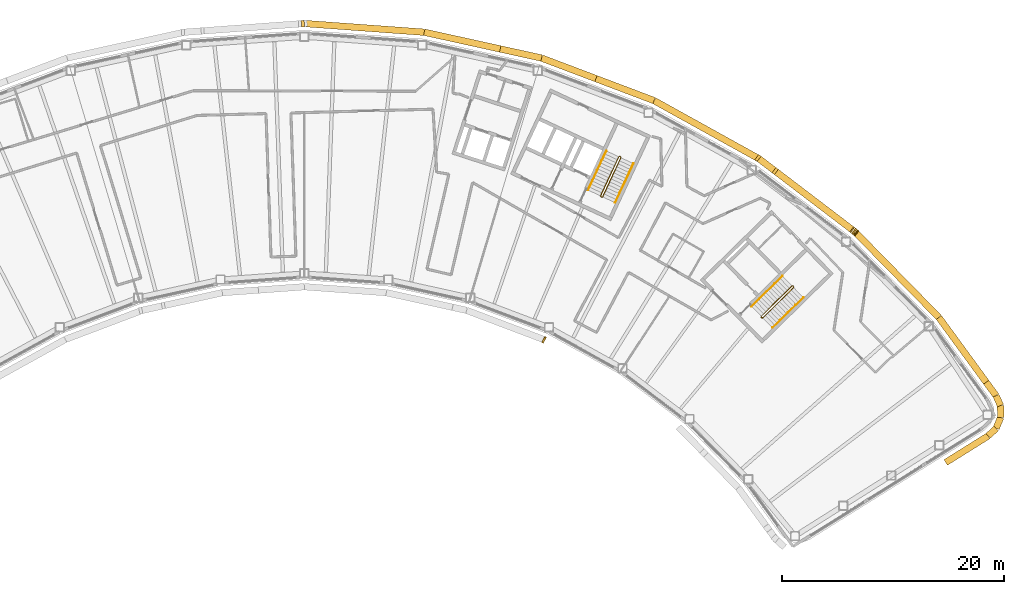
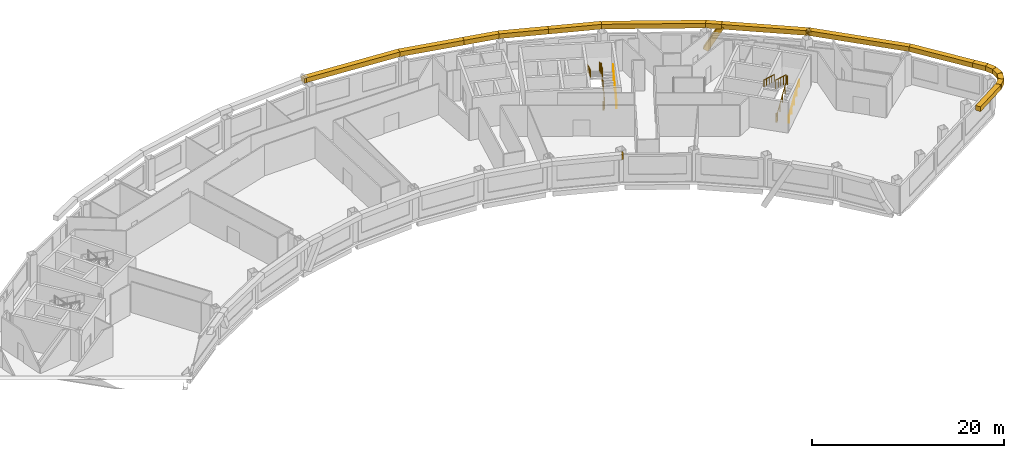
# One storey, part 13 of 13: 22 coverings, 6 railings.
"""IFC4 building model written with IfcOpenShell, lengths in metres."""

from ifc_helpers import new_model, si_unit, direction, frame, origin, origin_2d, place, context, subcontext, project, spatial, rectangle, circle, extrude, material, material_profile, profile_set, type_object, element, save


model = new_model("IFC4")

# Units and contexts
model_context = context("Model", 3, precision=1e-05, world=origin(), true_north=direction((0.0, 1.0)))
body_context = subcontext(model_context, "Body", "Model", "MODEL_VIEW")
ifc_project = project(units=[si_unit("LENGTHUNIT", "METRE"), si_unit("AREAUNIT", "SQUARE_METRE"), si_unit("VOLUMEUNIT", "CUBIC_METRE"), si_unit("PLANEANGLEUNIT", "RADIAN"), si_unit("MASSUNIT", "GRAM", prefix="KILO")], contexts=[model_context])

# Site, building, storey
site_placement = place(None, origin())
site = spatial("IfcSite", under=ifc_project, at=site_placement, CompositionType="ELEMENT")
building_placement = place(site_placement, origin())
building = spatial("IfcBuilding", under=site, at=building_placement, Name="Tuul Gate Civic Tower", CompositionType="ELEMENT")
storey_placement = place(building_placement, frame((0.0, 0.0, 290.0)))
storey = spatial("IfcBuildingStorey", under=building, at=storey_placement, Name="Level 65", CompositionType="ELEMENT", Elevation=290.0)

# Railings
ifc_material_1 = material(Name="Painted steel", Category="steel")
railing_type_1 = type_object("IfcRailingType", Name="Stair guard", PredefinedType="GUARDRAIL", material=ifc_material_1)
railing_1_placement = place(storey_placement, frame((48.10546875, -16.134765625, 0.0)))
element("IfcRailing", 1, at=railing_1_placement, inside=storey, type_object=railing_type_1, Name="Level 65 ST-3 stair guard 1", PredefinedType="GUARDRAIL", context=body_context, shape_type="SweptSolid", body=[
    extrude(circle(Radius=0.02392578125, at=origin_2d()), frame((0.0, 0.0, 1.076171875), z_axis=(-0.698506948293, 0.715603272202, 0.0), x_axis=(-0.715603272202, -0.698506948293, 0.0)), (0.0, 0.0, 1.0), 0.099853515625),
    extrude(circle(Radius=0.02392578125, at=origin_2d()), frame((-0.06982421875, 0.071533203125, 1.076171875), z_axis=(0.645446321009, -0.331687692741, 0.688027849131), x_axis=(0.457068866502, 0.889431307788, 0.0)), (0.0, 0.0, 1.0), 0.2177734375),
    extrude(circle(Radius=0.02392578125, at=origin_2d()), frame((0.07080078125, -0.000732421875, 1.22607421875), z_axis=(0.638715268259, 0.626117886127, 0.447235059857), x_axis=(-0.700029477518, 0.714113947914, 0.0)), (0.0, 0.0, 1.0), 4.360595703125),
    extrude(circle(Radius=0.02392578125, at=origin_2d()), frame((2.85595703125, 2.7294921875, 3.17626953125), z_axis=(0.010380063588, 0.999946125689, 0.0), x_axis=(-0.999946125689, 0.010380063588, 0.0)), (0.0, 0.0, 1.0), 0.070556640625),
    extrude(circle(Radius=0.02392578125, at=origin_2d()), frame((2.856689453125, 2.800048828125, 3.17626953125), z_axis=(-0.699754442181, 0.714383454909, 0.0), x_axis=(-0.714383454909, -0.699754442181, 0.0)), (0.0, 0.0, 1.0), 0.10009765625),
    extrude(circle(Radius=0.02392578125, at=origin_2d()), frame((2.78662109375, 2.87158203125, 3.17626953125), z_axis=(-0.427069033481, 0.004417955519, 0.904208229508), x_axis=(-0.010344274102, -0.999946496565, 0.0)), (0.0, 0.0, 1.0), 0.165771484375),
    extrude(circle(Radius=0.02392578125, at=origin_2d()), frame((2.7158203125, 2.872314453125, 3.326171875), z_axis=(-0.638731261263, -0.626133563701, 0.447190268558), x_axis=(0.700029477518, -0.714113947914, 0.0)), (0.0, 0.0, 1.0), 4.3603515625),
    extrude(circle(Radius=0.02099609375, at=origin_2d()), origin(), (0.0, 0.0, 1.0), 1.052001953125),
    extrude(circle(Radius=0.02099609375, at=origin_2d()), frame((-0.06982421875, 0.071533203125, 0.0)), (0.0, 0.0, 1.0), 1.052001953125),
    extrude(circle(Radius=0.02099609375, at=origin_2d()), frame((0.07080078125, -0.000732421875, 0.14990234375)), (0.0, 0.0, 1.0), 1.052001953125),
    extrude(circle(Radius=0.02099609375, at=origin_2d()), frame((0.76708984375, 0.681884765625, 0.637451171875)), (0.0, 0.0, 1.0), 1.052001953125),
    extrude(circle(Radius=0.02099609375, at=origin_2d()), frame((1.46337890625, 1.3642578125, 1.125)), (0.0, 0.0, 1.0), 1.052001953125),
    extrude(circle(Radius=0.02099609375, at=origin_2d()), frame((2.15966796875, 2.046875, 1.612548828125)), (0.0, 0.0, 1.0), 1.052001953125),
    extrude(circle(Radius=0.02099609375, at=origin_2d()), frame((2.85595703125, 2.7294921875, 2.10009765625)), (0.0, 0.0, 1.0), 1.052001953125),
    extrude(circle(Radius=0.02099609375, at=origin_2d()), frame((2.856689453125, 2.800048828125, 2.10009765625)), (0.0, 0.0, 1.0), 1.052001953125),
    extrude(circle(Radius=0.02099609375, at=origin_2d()), frame((2.78662109375, 2.87158203125, 2.10009765625)), (0.0, 0.0, 1.0), 1.052001953125),
    extrude(circle(Radius=0.02099609375, at=origin_2d()), frame((2.7158203125, 2.872314453125, 2.25)), (0.0, 0.0, 1.0), 1.052001953125),
    extrude(circle(Radius=0.02099609375, at=origin_2d()), frame((2.01953125, 2.189697265625, 2.737548828125)), (0.0, 0.0, 1.0), 1.052001953125),
    extrude(circle(Radius=0.02099609375, at=origin_2d()), frame((1.3232421875, 1.50732421875, 3.22509765625)), (0.0, 0.0, 1.0), 1.052001953125),
    extrude(circle(Radius=0.02099609375, at=origin_2d()), frame((0.626953125, 0.82470703125, 3.71240234375)), (0.0, 0.0, 1.0), 1.052001953125),
    extrude(circle(Radius=0.02099609375, at=origin_2d()), frame((-0.0693359375, 0.14208984375, 4.199951171875)), (0.0, 0.0, 1.0), 1.052001953125),
])
railing_2_placement = place(storey_placement, frame((33.645751953125, -5.238525390625, 0.0)))
element("IfcRailing", 2, at=railing_2_placement, inside=storey, type_object=railing_type_1, Name="Level 65 ST-4 stair guard 1", PredefinedType="GUARDRAIL", context=body_context, shape_type="SweptSolid", body=[
    extrude(circle(Radius=0.02392578125, at=origin_2d()), frame((0.0, 0.0, 1.076171875), z_axis=(-0.906307919131, 0.422617978463, 0.0), x_axis=(-0.422617978463, -0.906307919131, 0.0)), (0.0, 0.0, 1.0), 0.099853515625),
    extrude(circle(Radius=0.02392578125, at=origin_2d()), frame((-0.090576171875, 0.042236328125, 1.076171875), z_axis=(0.720735628292, -0.082946246491, 0.688229666829), x_axis=(0.114330889033, 0.993442724979, 0.0)), (0.0, 0.0, 1.0), 0.2177734375),
    extrude(circle(Radius=0.02392578125, at=origin_2d()), frame((0.06640625, 0.024169921875, 1.22607421875), z_axis=(0.377937439636, 0.810633814971, 0.447253965602), x_axis=(-0.906336612539, 0.422556439746, 0.0)), (0.0, 0.0, 1.0), 4.3603515625),
    extrude(circle(Radius=0.02392578125, at=origin_2d()), frame((1.71435546875, 3.558837890625, 3.17626953125), z_axis=(-0.342020437038, 0.939692513883, 0.0), x_axis=(-0.939692513883, -0.342020437038, 0.0)), (0.0, 0.0, 1.0), 0.070556640625),
    extrude(circle(Radius=0.02392578125, at=origin_2d()), frame((1.690185546875, 3.625244140625, 3.17626953125), z_axis=(-0.906307919131, 0.422617978463, 0.0), x_axis=(-0.422617978463, -0.906307919131, 0.0)), (0.0, 0.0, 1.0), 0.099853515625),
    extrude(circle(Radius=0.02392578125, at=origin_2d()), frame((1.599609375, 3.66748046875, 3.17626953125), z_axis=(-0.40070210376, -0.145843780413, 0.904526072458), x_axis=(0.342020437038, -0.939692513883, 0.0)), (0.0, 0.0, 1.0), 0.165771484375),
    extrude(circle(Radius=0.02392578125, at=origin_2d()), frame((1.533203125, 3.643310546875, 3.326171875), z_axis=(-0.377946903738, -0.810654114417, 0.447209173356), x_axis=(0.906336612539, -0.422556439746, 0.0)), (0.0, 0.0, 1.0), 4.3603515625),
    extrude(circle(Radius=0.02099609375, at=origin_2d()), origin(), (0.0, 0.0, 1.0), 1.052001953125),
    extrude(circle(Radius=0.02099609375, at=origin_2d()), frame((-0.090576171875, 0.042236328125, 0.0)), (0.0, 0.0, 1.0), 1.052001953125),
    extrude(circle(Radius=0.02099609375, at=origin_2d()), frame((0.06640625, 0.024169921875, 0.14990234375)), (0.0, 0.0, 1.0), 1.052001953125),
    extrude(circle(Radius=0.02099609375, at=origin_2d()), frame((0.478515625, 0.90771484375, 0.637451171875)), (0.0, 0.0, 1.0), 1.052001953125),
    extrude(circle(Radius=0.02099609375, at=origin_2d()), frame((0.890380859375, 1.79150390625, 1.125)), (0.0, 0.0, 1.0), 1.052001953125),
    extrude(circle(Radius=0.02099609375, at=origin_2d()), frame((1.30224609375, 2.67529296875, 1.612548828125)), (0.0, 0.0, 1.0), 1.052001953125),
    extrude(circle(Radius=0.02099609375, at=origin_2d()), frame((1.71435546875, 3.558837890625, 2.10009765625)), (0.0, 0.0, 1.0), 1.052001953125),
    extrude(circle(Radius=0.02099609375, at=origin_2d()), frame((1.690185546875, 3.625244140625, 2.10009765625)), (0.0, 0.0, 1.0), 1.052001953125),
    extrude(circle(Radius=0.02099609375, at=origin_2d()), frame((1.599609375, 3.66748046875, 2.10009765625)), (0.0, 0.0, 1.0), 1.052001953125),
    extrude(circle(Radius=0.02099609375, at=origin_2d()), frame((1.533203125, 3.643310546875, 2.25)), (0.0, 0.0, 1.0), 1.052001953125),
    extrude(circle(Radius=0.02099609375, at=origin_2d()), frame((1.12109375, 2.759765625, 2.737548828125)), (0.0, 0.0, 1.0), 1.052001953125),
    extrude(circle(Radius=0.02099609375, at=origin_2d()), frame((0.709228515625, 1.8759765625, 3.22509765625)), (0.0, 0.0, 1.0), 1.052001953125),
    extrude(circle(Radius=0.02099609375, at=origin_2d()), frame((0.29736328125, 0.9921875, 3.71240234375)), (0.0, 0.0, 1.0), 1.052001953125),
    extrude(circle(Radius=0.02099609375, at=origin_2d()), frame((-0.11474609375, 0.108642578125, 4.199951171875)), (0.0, 0.0, 1.0), 1.052001953125),
])
ifc_material_2 = material(Name="Painted steel", Category="steel")
railing_type_2 = type_object("IfcRailingType", Name="Stair handrail", PredefinedType="HANDRAIL", material=ifc_material_2)
railing_3_placement = place(storey_placement, frame((49.05126953125, -17.028076171875, 0.14990234375)))
element("IfcRailing", 3, at=railing_3_placement, inside=storey, type_object=railing_type_2, Name="Level 65 ST-3 stair handrail 1", PredefinedType="HANDRAIL", context=body_context, shape_type="SweptSolid", body=[
    extrude(circle(Radius=0.02392578125, at=origin_2d()), frame((0.0, 0.0, 0.8759765625), z_axis=(0.638737658801, 0.626083844733, 0.447250737947), x_axis=(-0.699997553204, 0.714145241186, 0.0)), (0.0, 0.0, 1.0), 4.3603515625),
    extrude(circle(Radius=0.02099609375, at=origin_2d()), origin(), (0.0, 0.0, 1.0), 0.851806640625),
    extrude(circle(Radius=0.02099609375, at=origin_2d()), frame((0.6962890625, 0.6826171875, 0.487548828125)), (0.0, 0.0, 1.0), 0.851806640625),
    extrude(circle(Radius=0.02099609375, at=origin_2d()), frame((1.392578125, 1.364990234375, 0.97509765625)), (0.0, 0.0, 1.0), 0.851806640625),
    extrude(circle(Radius=0.02099609375, at=origin_2d()), frame((2.0888671875, 2.04736328125, 1.462646484375)), (0.0, 0.0, 1.0), 0.851806640625),
    extrude(circle(Radius=0.02099609375, at=origin_2d()), frame((2.78515625, 2.72998046875, 1.9501953125)), (0.0, 0.0, 1.0), 0.851806640625),
])
railing_4_placement = place(storey_placement, frame((49.9462890625, -12.369873046875, 2.25)))
element("IfcRailing", 4, at=railing_4_placement, inside=storey, type_object=railing_type_2, Name="Level 65 ST-3 stair handrail 2", PredefinedType="HANDRAIL", context=body_context, shape_type="SweptSolid", body=[
    extrude(circle(Radius=0.02392578125, at=origin_2d()), frame((0.0, 0.0, 0.8759765625), z_axis=(-0.638753653487, -0.626099522554, 0.447205945863), x_axis=(0.699997553204, -0.714145241186, 0.0)), (0.0, 0.0, 1.0), 4.3603515625),
    extrude(circle(Radius=0.02099609375, at=origin_2d()), origin(), (0.0, 0.0, 1.0), 0.851806640625),
    extrude(circle(Radius=0.02099609375, at=origin_2d()), frame((-0.6962890625, -0.6826171875, 0.487548828125)), (0.0, 0.0, 1.0), 0.851806640625),
    extrude(circle(Radius=0.02099609375, at=origin_2d()), frame((-1.392578125, -1.364990234375, 0.97509765625)), (0.0, 0.0, 1.0), 0.851806640625),
    extrude(circle(Radius=0.02099609375, at=origin_2d()), frame((-2.0888671875, -2.04736328125, 1.46240234375)), (0.0, 0.0, 1.0), 0.851806640625),
    extrude(circle(Radius=0.02099609375, at=origin_2d()), frame((-2.78515625, -2.72998046875, 1.949951171875)), (0.0, 0.0, 1.0), 0.851806640625),
])
railing_5_placement = place(storey_placement, frame((34.844970703125, -5.74267578125, 0.14990234375)))
element("IfcRailing", 5, at=railing_5_placement, inside=storey, type_object=railing_type_2, Name="Level 65 ST-4 stair handrail 1", PredefinedType="HANDRAIL", context=body_context, shape_type="SweptSolid", body=[
    extrude(circle(Radius=0.02392578125, at=origin_2d()), frame((0.0, 0.0, 0.8759765625), z_axis=(0.377985431313, 0.810616660428, 0.447244500863), x_axis=(-0.906312636903, 0.422607861012, 0.0)), (0.0, 0.0, 1.0), 4.3603515625),
    extrude(circle(Radius=0.02099609375, at=origin_2d()), origin(), (0.0, 0.0, 1.0), 0.851806640625),
    extrude(circle(Radius=0.02099609375, at=origin_2d()), frame((0.412109375, 0.8837890625, 0.487548828125)), (0.0, 0.0, 1.0), 0.851806640625),
    extrude(circle(Radius=0.02099609375, at=origin_2d()), frame((0.82421875, 1.767333984375, 0.97509765625)), (0.0, 0.0, 1.0), 0.851806640625),
    extrude(circle(Radius=0.02099609375, at=origin_2d()), frame((1.236083984375, 2.65087890625, 1.462646484375)), (0.0, 0.0, 1.0), 0.851806640625),
    extrude(circle(Radius=0.02099609375, at=origin_2d()), frame((1.648193359375, 3.53466796875, 1.9501953125)), (0.0, 0.0, 1.0), 0.851806640625),
])
railing_6_placement = place(storey_placement, frame((34.046142578125, -1.06689453125, 2.25)))
element("IfcRailing", 6, at=railing_6_placement, inside=storey, type_object=railing_type_2, Name="Level 65 ST-4 stair handrail 2", PredefinedType="HANDRAIL", context=body_context, shape_type="SweptSolid", body=[
    extrude(circle(Radius=0.02392578125, at=origin_2d()), frame((0.0, 0.0, 0.8759765625), z_axis=(-0.377994896215, -0.810636958585, 0.447199709091), x_axis=(0.906312636903, -0.422607861012, 0.0)), (0.0, 0.0, 1.0), 4.3603515625),
    extrude(circle(Radius=0.02099609375, at=origin_2d()), origin(), (0.0, 0.0, 1.0), 0.851806640625),
    extrude(circle(Radius=0.02099609375, at=origin_2d()), frame((-0.412109375, -0.8837890625, 0.487548828125)), (0.0, 0.0, 1.0), 0.851806640625),
    extrude(circle(Radius=0.02099609375, at=origin_2d()), frame((-0.82421875, -1.767333984375, 0.97509765625)), (0.0, 0.0, 1.0), 0.851806640625),
    extrude(circle(Radius=0.02099609375, at=origin_2d()), frame((-1.236083984375, -2.65087890625, 1.46240234375)), (0.0, 0.0, 1.0), 0.851806640625),
    extrude(circle(Radius=0.02099609375, at=origin_2d()), frame((-1.648193359375, -3.53466796875, 1.949951171875)), (0.0, 0.0, 1.0), 0.851806640625),
])

# Coverings
ifc_material_3 = material(Name="Terracotta baguette", Category="masonry")
ifc_material_profile = material_profile(ifc_material_3, rectangle(XDim=0.60009765625, YDim=0.60009765625, at=origin_2d()), Name="Terracotta baguette screen frame")
ifc_profile_set = profile_set([ifc_material_profile], Name="Terracotta baguette")
covering_type = type_object("IfcCoveringType", Name="Terracotta baguette screen frame", PredefinedType="CLADDING", material=ifc_profile_set)
covering_1_placement = place(storey_placement, frame((64.689208984375, -29.19384765625, 3.85009765625), z_axis=(0.848058898511, 0.529901976461, 0.0), x_axis=(-0.529901976461, 0.848058898511, 0.0)))
element("IfcCovering", 7, at=covering_1_placement, inside=storey, type_object=covering_type, Name="Baguette 4", PredefinedType="CLADDING", context=body_context, shape_type="SweptSolid", body=[
    extrude(rectangle(XDim=0.60009765625, YDim=0.60009765625, at=origin_2d()), origin(), (0.0, 0.0, 1.0), 4.526611328125),
])
covering_2_placement = place(storey_placement, frame((68.528076171875, -26.795166015625, 3.85009765625), z_axis=(0.722137314744, 0.691749737011, 0.0), x_axis=(-0.691749737011, 0.722137314744, 0.0)))
element("IfcCovering", 8, at=covering_2_placement, inside=storey, type_object=covering_type, Name="Baguette 5", PredefinedType="CLADDING", context=body_context, shape_type="SweptSolid", body=[
    extrude(rectangle(XDim=0.60009765625, YDim=0.60009765625, at=origin_2d()), origin(), (0.0, 0.0, 1.0), 0.98828125),
])
covering_3_placement = place(storey_placement, frame((69.24169921875, -26.111572265625, 3.85009765625), z_axis=(0.385784883999, 0.922588761734, 0.0), x_axis=(-0.922588761734, 0.385784883999, 0.0)))
element("IfcCovering", 9, at=covering_3_placement, inside=storey, type_object=covering_type, Name="Baguette 6", PredefinedType="CLADDING", context=body_context, shape_type="SweptSolid", body=[
    extrude(rectangle(XDim=0.60009765625, YDim=0.60009765625, at=origin_2d()), origin(), (0.0, 0.0, 1.0), 1.06689453125),
])
covering_4_placement = place(storey_placement, frame((69.6533203125, -25.127197265625, 3.85009765625), z_axis=(-0.014637041139, 0.999892872775, 0.0), x_axis=(-0.999892872775, -0.014637041139, 0.0)))
element("IfcCovering", 10, at=covering_4_placement, inside=storey, type_object=covering_type, Name="Baguette 7", PredefinedType="CLADDING", context=body_context, shape_type="SweptSolid", body=[
    extrude(rectangle(XDim=0.60009765625, YDim=0.60009765625, at=origin_2d()), origin(), (0.0, 0.0, 1.0), 1.0673828125),
])
covering_5_placement = place(storey_placement, frame((69.6376953125, -24.059814453125, 3.85009765625), z_axis=(-0.412573349968, 0.910924382644, 0.0), x_axis=(-0.910924382644, -0.412573349968, 0.0)))
element("IfcCovering", 11, at=covering_5_placement, inside=storey, type_object=covering_type, Name="Baguette 8", PredefinedType="CLADDING", context=body_context, shape_type="SweptSolid", body=[
    extrude(rectangle(XDim=0.60009765625, YDim=0.60009765625, at=origin_2d()), origin(), (0.0, 0.0, 1.0), 0.987548828125),
])
covering_6_placement = place(storey_placement, frame((69.230224609375, -23.16015625, 3.85009765625), z_axis=(-0.589840519689, 0.807519759098, 0.0), x_axis=(-0.807519759098, -0.589840519689, 0.0)))
element("IfcCovering", 12, at=covering_6_placement, inside=storey, type_object=covering_type, Name="Baguette 9", PredefinedType="CLADDING", context=body_context, shape_type="SweptSolid", body=[
    extrude(rectangle(XDim=0.60009765625, YDim=0.60009765625, at=origin_2d()), origin(), (0.0, 0.0, 1.0), 1.4951171875),
])
for number, where, z_axis, x_axis, name in (
    (13, (56.481689453125, -8.357177734375, 4.017578125), (-0.37839269178, 0.287321908334, -0.879923344274), (-0.604740952952, -0.796422237147, 0.0), "Baguette 28"),
    (14, (56.40966796875, -8.302490234375, 3.85009765625), (0.37839269178, -0.287321908334, -0.879923344274), (0.604740952952, 0.796422237147, 0.0), "Baguette 31"),
):
    element("IfcCovering", number, at=place(storey_placement, frame(where, z_axis=z_axis, x_axis=x_axis)), inside=storey, type_object=covering_type, Name=name, PredefinedType="CLADDING", context=body_context, shape_type="SweptSolid", body=[
        extrude(rectangle(XDim=0.60009765625, YDim=0.60009765625, at=origin_2d()), origin(), (0.0, 0.0, 1.0), 0.1904296875),
    ])
covering_7_placement = place(storey_placement, frame((56.40966796875, -8.302490234375, 3.85009765625), z_axis=(-0.795606502221, 0.605813744994, 0.0), x_axis=(-0.605813744994, -0.795606502221, 0.0)))
element("IfcCovering", 15, at=covering_7_placement, inside=storey, type_object=covering_type, Name="Baguette 33", PredefinedType="CLADDING", context=body_context, shape_type="SweptSolid", body=[
    extrude(rectangle(XDim=0.60009765625, YDim=0.60009765625, at=origin_2d()), origin(), (0.0, 0.0, 1.0), 9.07275390625),
])
covering_8_placement = place(storey_placement, frame((49.19140625, -2.80615234375, 3.85009765625), z_axis=(-0.378022503439, 0.287811026337, -0.879922610241), x_axis=(-0.605768691074, -0.795640806467, 0.0)))
element("IfcCovering", 16, at=covering_8_placement, inside=storey, type_object=covering_type, Name="Baguette 37", PredefinedType="CLADDING", context=body_context, shape_type="SweptSolid", body=[
    extrude(rectangle(XDim=0.60009765625, YDim=0.60009765625, at=origin_2d()), origin(), (0.0, 0.0, 1.0), 3.553466796875),
])
covering_9_placement = place(storey_placement, frame((33.114501953125, 5.460205078125, 3.85009765625), z_axis=(-0.935363669244, 0.353687441477, 0.0), x_axis=(-0.353687441477, -0.935363669244, 0.0)))
element("IfcCovering", 17, at=covering_9_placement, inside=storey, type_object=covering_type, Name="Baguette 54", PredefinedType="CLADDING", context=body_context, shape_type="SweptSolid", body=[
    extrude(rectangle(XDim=0.60009765625, YDim=0.60009765625, at=origin_2d()), origin(), (0.0, 0.0, 1.0), 5.24609375),
])
covering_10_placement = place(storey_placement, frame((28.20751953125, 7.315673828125, 3.85009765625), z_axis=(-0.976551990289, 0.215281699787, 0.0), x_axis=(-0.215281699787, -0.976551990289, 0.0)))
element("IfcCovering", 18, at=covering_10_placement, inside=storey, type_object=covering_type, Name="Baguette 55", PredefinedType="CLADDING", context=body_context, shape_type="SweptSolid", body=[
    extrude(rectangle(XDim=0.60009765625, YDim=0.60009765625, at=origin_2d()), origin(), (0.0, 0.0, 1.0), 3.826171875),
])
covering_11_placement = place(storey_placement, frame((28.368896484375, -18.083251953125, 3.85009765625), z_axis=(0.874653893633, -0.48474794105, 0.0), x_axis=(0.48474794105, 0.874653893633, 0.0)))
element("IfcCovering", 19, at=covering_11_placement, inside=storey, type_object=covering_type, Name="Baguette 231", PredefinedType="CLADDING", context=body_context, shape_type="SweptSolid", body=[
    extrude(rectangle(XDim=0.60009765625, YDim=0.60009765625, at=origin_2d()), origin(), (0.0, 0.0, 1.0), 0.138916015625),
])
covering_12_placement = place(storey_placement, frame((68.348388671875, -21.952880859375, 3.85009765625), z_axis=(-0.589820444611, 0.80753442225, 0.0), x_axis=(-0.80753442225, -0.589820444611, 0.0)))
element("IfcCovering", 20, at=covering_12_placement, inside=storey, type_object=covering_type, Name="Baguette 291", PredefinedType="CLADDING", context=body_context, shape_type="SweptSolid", body=[
    extrude(rectangle(XDim=0.60009765625, YDim=0.60009765625, at=origin_2d()), origin(), (0.0, 0.0, 1.0), 7.24072265625),
])
covering_13_placement = place(storey_placement, frame((64.07763671875, -16.105712890625, 3.85009765625), z_axis=(-0.700040591401, 0.714103053061, 0.0), x_axis=(-0.714103053061, -0.700040591401, 0.0)))
element("IfcCovering", 21, at=covering_13_placement, inside=storey, type_object=covering_type, Name="Baguette 292", PredefinedType="CLADDING", context=body_context, shape_type="SweptSolid", body=[
    extrude(rectangle(XDim=0.60009765625, YDim=0.60009765625, at=origin_2d()), origin(), (0.0, 0.0, 1.0), 10.850830078125),
])
covering_14_placement = place(storey_placement, frame((56.481689453125, -8.357177734375, 3.85009765625), z_axis=(-0.796422237147, 0.604740952952, 0.0), x_axis=(-0.604740952952, -0.796422237147, 0.0)))
element("IfcCovering", 22, at=covering_14_placement, inside=storey, type_object=covering_type, Name="Baguette 293", PredefinedType="CLADDING", context=body_context, shape_type="SweptSolid", body=[
    extrude(rectangle(XDim=0.60009765625, YDim=0.60009765625, at=origin_2d()), origin(), (0.0, 0.0, 1.0), 0.09033203125),
])
covering_15_placement = place(storey_placement, frame((49.19140625, -2.80615234375, 3.85009765625), z_axis=(-0.795640806467, 0.605768691074, 0.0), x_axis=(-0.605768691074, -0.795640806467, 0.0)))
element("IfcCovering", 23, at=covering_15_placement, inside=storey, type_object=covering_type, Name="Baguette 297", PredefinedType="CLADDING", context=body_context, shape_type="SweptSolid", body=[
    extrude(rectangle(XDim=0.60009765625, YDim=0.60009765625, at=origin_2d()), origin(), (0.0, 0.0, 1.0), 1.688232421875),
])
covering_16_placement = place(storey_placement, frame((47.84814453125, -1.783447265625, 3.85009765625), z_axis=(-0.87460584557, 0.484834626337, 0.0), x_axis=(-0.484834626337, -0.87460584557, 0.0)))
element("IfcCovering", 24, at=covering_16_placement, inside=storey, type_object=covering_type, Name="Baguette 298", PredefinedType="CLADDING", context=body_context, shape_type="SweptSolid", body=[
    extrude(rectangle(XDim=0.60009765625, YDim=0.60009765625, at=origin_2d()), origin(), (0.0, 0.0, 1.0), 10.8505859375),
])
covering_17_placement = place(storey_placement, frame((38.358154296875, 3.477294921875, 3.85009765625), z_axis=(-0.935355584732, 0.353708821082, 0.0), x_axis=(-0.353708821082, -0.935355584732, 0.0)))
element("IfcCovering", 25, at=covering_17_placement, inside=storey, type_object=covering_type, Name="Baguette 299", PredefinedType="CLADDING", context=body_context, shape_type="SweptSolid", body=[
    extrude(rectangle(XDim=0.60009765625, YDim=0.60009765625, at=origin_2d()), origin(), (0.0, 0.0, 1.0), 5.60595703125),
])
covering_18_placement = place(storey_placement, frame((24.470947265625, 8.139404296875, 3.85009765625), z_axis=(-0.976566653764, 0.215215173154, 0.0), x_axis=(-0.215215173154, -0.976566653764, 0.0)))
element("IfcCovering", 26, at=covering_18_placement, inside=storey, type_object=covering_type, Name="Baguette 305", PredefinedType="CLADDING", context=body_context, shape_type="SweptSolid", body=[
    extrude(rectangle(XDim=0.60009765625, YDim=0.60009765625, at=origin_2d()), origin(), (0.0, 0.0, 1.0), 7.024169921875),
])
covering_19_placement = place(storey_placement, frame((17.611328125, 9.651123046875, 3.85009765625), z_axis=(-0.99738716936, 0.072241500515, 0.0), x_axis=(-0.072241500515, -0.99738716936, 0.0)))
element("IfcCovering", 27, at=covering_19_placement, inside=storey, type_object=covering_type, Name="Baguette 306", PredefinedType="CLADDING", context=body_context, shape_type="SweptSolid", body=[
    extrude(rectangle(XDim=0.60009765625, YDim=0.60009765625, at=origin_2d()), origin(), (0.0, 0.0, 1.0), 10.8515625),
])
covering_20_placement = place(storey_placement, frame((6.7880859375, 10.43505859375, 3.85009765625), z_axis=(-0.997361039964, -0.072601349588, 0.0), x_axis=(0.072601349588, -0.997361039964, 0.0)))
element("IfcCovering", 28, at=covering_20_placement, inside=storey, type_object=covering_type, Name="Baguette 307", PredefinedType="CLADDING", context=body_context, shape_type="SweptSolid", body=[
    extrude(rectangle(XDim=0.60009765625, YDim=0.60009765625, at=origin_2d()), origin(), (0.0, 0.0, 1.0), 0.26904296875),
])

save(model, "model.ifc")
